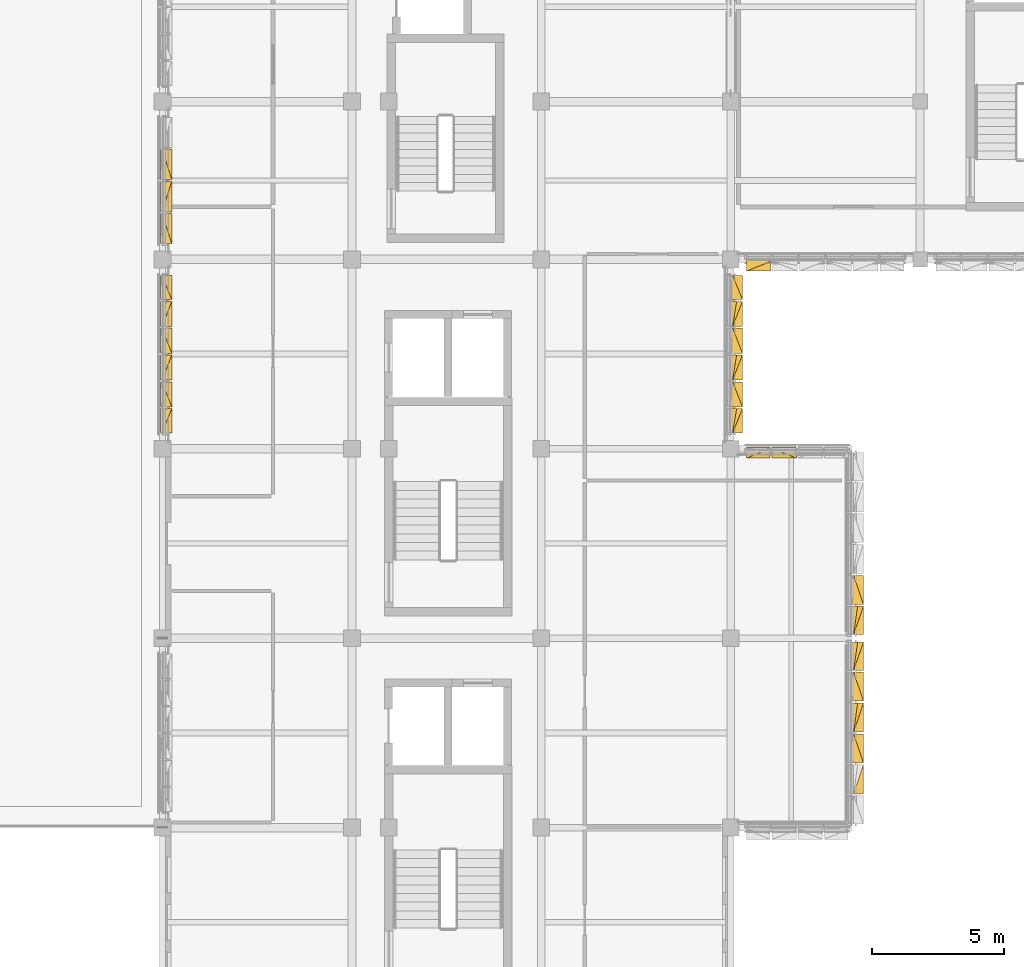
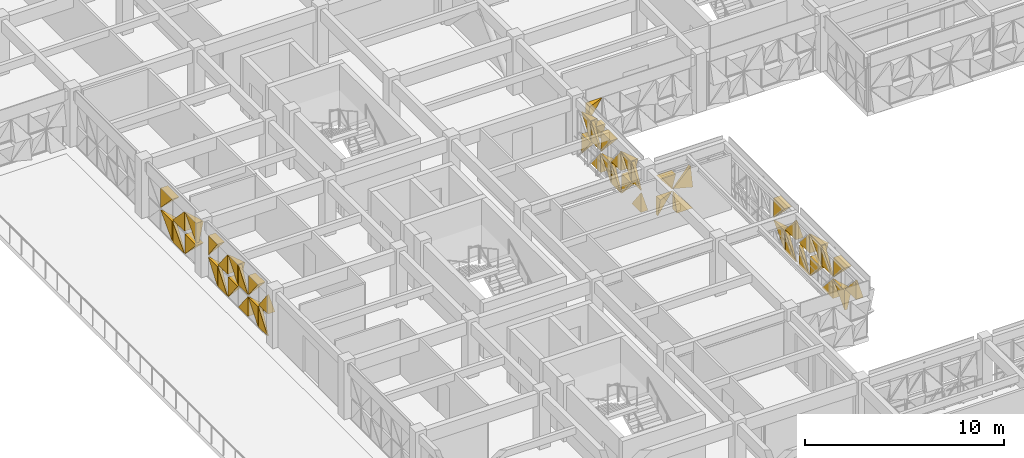
# One storey, part 80 of 85: 49 coverings.
"""IFC4 building model written with IfcOpenShell, lengths in metres."""

from ifc_helpers import new_model, si_unit, direction, frame, origin, place, context, subcontext, project, spatial, polygons, material, layer, layer_set, type_object, element, save


model = new_model("IFC4")

# Units and contexts
model_context = context("Model", 3, precision=1e-05, world=origin(), true_north=direction((0.0, 1.0)))
body_context = subcontext(model_context, "Body", "Model", "MODEL_VIEW")
ifc_project = project(units=[si_unit("LENGTHUNIT", "METRE"), si_unit("AREAUNIT", "SQUARE_METRE"), si_unit("VOLUMEUNIT", "CUBIC_METRE"), si_unit("PLANEANGLEUNIT", "RADIAN"), si_unit("MASSUNIT", "GRAM", prefix="KILO")], contexts=[model_context])

# Site, building, storey
site_placement = place(None, origin())
site = spatial("IfcSite", under=ifc_project, at=site_placement, CompositionType="ELEMENT")
building_placement = place(site_placement, origin())
building = spatial("IfcBuilding", under=site, at=building_placement, Name="Alvorim Cloister Faculty of Sciences", CompositionType="ELEMENT")
storey_placement = place(building_placement, frame((0.0, 0.0, 8.550048828125)))
storey = spatial("IfcBuildingStorey", under=building, at=storey_placement, Name="L02", CompositionType="ELEMENT", Elevation=8.550048828125)

# Coverings
ifc_material = material(Name="Perforated Bronze Alloy Sheet", Category="metal")
ifc_layer = layer(ifc_material, 0.0380859375)
ifc_layer_set = layer_set([ifc_layer], Name="Perforated Bronze Alloy Sheet")
covering_type = type_object("IfcCoveringType", Name="COV-TRI-BRZ", PredefinedType="CLADDING", material=ifc_layer_set)
covering_1_placement = place(storey_placement, frame((7.155029296875, 36.60498046875, 0.139892578125), z_axis=(0.0, 0.0, 1.0), x_axis=(0.0, 1.0, 0.0)))
element("IfcCovering", 1, at=covering_1_placement, inside=storey, type_object=covering_type, Name="Diagonal Solid Metal Triangle TRI-BR", PredefinedType="CLADDING", context=body_context, shape_type="Tessellation", body=[
    polygons([(0.002, 0.0260009765625, 0.0), (0.922607421875, 0.0260009765625, 0.0), (0.922607421875, 0.0260009765625, 1.213087890625), (0.002, -0.03, 0.0), (0.922607421875, -0.4, 0.0), (0.922607421875, -0.18000000000000002, 1.213087890625)], [[[1, 3, 2]], [[4, 5, 6]], [[1, 2, 5, 4]], [[2, 3, 6, 5]], [[3, 1, 4, 6]]], closed=True),
])
covering_2_placement = place(storey_placement, frame((7.155029296875, 36.60498046875, 1.494873046875), z_axis=(0.0, 0.0, 1.0), x_axis=(0.0, 1.0, 0.0)))
element("IfcCovering", 2, at=covering_2_placement, inside=storey, type_object=covering_type, Name="Diagonal Solid Metal Triangle TRI-BL", PredefinedType="CLADDING", context=body_context, shape_type="Tessellation", body=[
    polygons([(0.0, 0.0260009765625, 0.0), (0.920607421875, 0.0260009765625, 0.0), (0.0, 0.0260009765625, 1.213087890625), (0.0, -0.4, 0.0), (0.920607421875, -0.4, 0.0), (0.0, -0.03, 1.213087890625)], [[[1, 3, 2]], [[4, 5, 6]], [[1, 2, 5, 4]], [[2, 3, 6, 5]], [[3, 1, 4, 6]]], closed=True),
])
covering_3_placement = place(storey_placement, frame((7.155029296875, 37.592529296875, 0.139892578125), z_axis=(0.0, 0.0, 1.0), x_axis=(0.0, 1.0, 0.0)))
element("IfcCovering", 3, at=covering_3_placement, inside=storey, type_object=covering_type, Name="Diagonal Solid Metal Triangle TRI-TL", PredefinedType="CLADDING", context=body_context, shape_type="Tessellation", body=[
    polygons([(0.953078125, 0.0260009765625, 1.215087890625), (0.0, 0.0260009765625, 1.215087890625), (0.0, 0.0260009765625, 0.002), (0.953078125, -0.03, 1.215087890625), (0.0, -0.4, 1.215087890625), (0.0, -0.13999999999999999, 0.002)], [[[1, 3, 2]], [[4, 5, 6]], [[1, 2, 5, 4]], [[2, 3, 6, 5]], [[3, 1, 4, 6]]], closed=True),
])
covering_4_placement = place(storey_placement, frame((7.155029296875, 37.592529296875, 1.494873046875), z_axis=(0.0, 0.0, 1.0), x_axis=(0.0, 1.0, 0.0)))
element("IfcCovering", 4, at=covering_4_placement, inside=storey, type_object=covering_type, Name="Diagonal Solid Metal Triangle TRI-TR", PredefinedType="CLADDING", context=body_context, shape_type="Tessellation", body=[
    polygons([(0.955078125, 0.0260009765625, 0.002), (0.955078125, 0.0260009765625, 1.215087890625), (0.002, 0.0260009765625, 1.215087890625), (0.955078125, -0.03, 0.002), (0.955078125, -0.4, 1.215087890625), (0.002, -0.4, 1.215087890625)], [[[1, 3, 2]], [[4, 5, 6]], [[1, 2, 5, 4]], [[2, 3, 6, 5]], [[3, 1, 4, 6]]], closed=True),
])
covering_5_placement = place(storey_placement, frame((7.155029296875, 38.612548828125, 0.139892578125), z_axis=(0.0, 0.0, 1.0), x_axis=(0.0, 1.0, 0.0)))
element("IfcCovering", 5, at=covering_5_placement, inside=storey, type_object=covering_type, Name="Diagonal Solid Metal Triangle TRI-BL", PredefinedType="CLADDING", context=body_context, shape_type="Tessellation", body=[
    polygons([(0.0, 0.0260009765625, 0.0), (0.953078125, 0.0260009765625, 0.0), (0.0, 0.0260009765625, 1.213087890625), (0.0, -0.4, 0.0), (0.953078125, -0.4, 0.0), (0.0, -0.03, 1.213087890625)], [[[1, 3, 2]], [[4, 5, 6]], [[1, 2, 5, 4]], [[2, 3, 6, 5]], [[3, 1, 4, 6]]], closed=True),
])
covering_6_placement = place(storey_placement, frame((7.155029296875, 38.612548828125, 1.494873046875), z_axis=(0.0, 0.0, 1.0), x_axis=(0.0, 1.0, 0.0)))
element("IfcCovering", 6, at=covering_6_placement, inside=storey, type_object=covering_type, Name="Diagonal Solid Metal Triangle TRI-BR", PredefinedType="CLADDING", context=body_context, shape_type="Tessellation", body=[
    polygons([(0.002, 0.0260009765625, 0.0), (0.955078125, 0.0260009765625, 0.0), (0.955078125, 0.0260009765625, 1.213087890625), (0.002, -0.03, 0.0), (0.955078125, -0.4, 0.0), (0.955078125, -0.18000000000000002, 1.213087890625)], [[[1, 3, 2]], [[4, 5, 6]], [[1, 2, 5, 4]], [[2, 3, 6, 5]], [[3, 1, 4, 6]]], closed=True),
])
covering_7_placement = place(storey_placement, frame((7.155029296875, 39.632568359375, 0.139892578125), z_axis=(0.0, 0.0, 1.0), x_axis=(0.0, 1.0, 0.0)))
element("IfcCovering", 7, at=covering_7_placement, inside=storey, type_object=covering_type, Name="Diagonal Solid Metal Triangle TRI-TR", PredefinedType="CLADDING", context=body_context, shape_type="Tessellation", body=[
    polygons([(0.955078125, 0.0260009765625, 0.002), (0.955078125, 0.0260009765625, 1.215087890625), (0.002, 0.0260009765625, 1.215087890625), (0.955078125, -0.03, 0.002), (0.955078125, -0.4, 1.215087890625), (0.002, -0.4, 1.215087890625)], [[[1, 3, 2]], [[4, 5, 6]], [[1, 2, 5, 4]], [[2, 3, 6, 5]], [[3, 1, 4, 6]]], closed=True),
])
covering_8_placement = place(storey_placement, frame((7.155029296875, 39.632568359375, 1.494873046875), z_axis=(0.0, 0.0, 1.0), x_axis=(0.0, 1.0, 0.0)))
element("IfcCovering", 8, at=covering_8_placement, inside=storey, type_object=covering_type, Name="Diagonal Solid Metal Triangle TRI-TL", PredefinedType="CLADDING", context=body_context, shape_type="Tessellation", body=[
    polygons([(0.953078125, 0.0260009765625, 1.215087890625), (0.0, 0.0260009765625, 1.215087890625), (0.0, 0.0260009765625, 0.002), (0.953078125, -0.03, 1.215087890625), (0.0, -0.4, 1.215087890625), (0.0, -0.13999999999999999, 0.002)], [[[1, 3, 2]], [[4, 5, 6]], [[1, 2, 5, 4]], [[2, 3, 6, 5]], [[3, 1, 4, 6]]], closed=True),
])
covering_9_placement = place(storey_placement, frame((7.155029296875, 40.652587890625, 0.139892578125), z_axis=(0.0, 0.0, 1.0), x_axis=(0.0, 1.0, 0.0)))
element("IfcCovering", 9, at=covering_9_placement, inside=storey, type_object=covering_type, Name="Diagonal Solid Metal Triangle TRI-BR", PredefinedType="CLADDING", context=body_context, shape_type="Tessellation", body=[
    polygons([(0.002, 0.0260009765625, 0.0), (0.955078125, 0.0260009765625, 0.0), (0.955078125, 0.0260009765625, 1.213087890625), (0.002, -0.03, 0.0), (0.955078125, -0.4, 0.0), (0.955078125, -0.18000000000000002, 1.213087890625)], [[[1, 3, 2]], [[4, 5, 6]], [[1, 2, 5, 4]], [[2, 3, 6, 5]], [[3, 1, 4, 6]]], closed=True),
])
covering_10_placement = place(storey_placement, frame((7.155029296875, 40.652587890625, 1.494873046875), z_axis=(0.0, 0.0, 1.0), x_axis=(0.0, 1.0, 0.0)))
element("IfcCovering", 10, at=covering_10_placement, inside=storey, type_object=covering_type, Name="Diagonal Solid Metal Triangle TRI-BL", PredefinedType="CLADDING", context=body_context, shape_type="Tessellation", body=[
    polygons([(0.0, 0.0260009765625, 0.0), (0.953078125, 0.0260009765625, 0.0), (0.0, 0.0260009765625, 1.213087890625), (0.0, -0.4, 0.0), (0.953078125, -0.4, 0.0), (0.0, -0.03, 1.213087890625)], [[[1, 3, 2]], [[4, 5, 6]], [[1, 2, 5, 4]], [[2, 3, 6, 5]], [[3, 1, 4, 6]]], closed=True),
])
covering_11_placement = place(storey_placement, frame((7.155029296875, 41.672607421875, 0.139892578125), z_axis=(0.0, 0.0, 1.0), x_axis=(0.0, 1.0, 0.0)))
element("IfcCovering", 11, at=covering_11_placement, inside=storey, type_object=covering_type, Name="Diagonal Solid Metal Triangle TRI-TL", PredefinedType="CLADDING", context=body_context, shape_type="Tessellation", body=[
    polygons([(0.920607421875, 0.0260009765625, 1.215087890625), (0.0, 0.0260009765625, 1.215087890625), (0.0, 0.0260009765625, 0.002), (0.920607421875, -0.03, 1.215087890625), (0.0, -0.4, 1.215087890625), (0.0, -0.13999999999999999, 0.002)], [[[1, 3, 2]], [[4, 5, 6]], [[1, 2, 5, 4]], [[2, 3, 6, 5]], [[3, 1, 4, 6]]], closed=True),
])
covering_12_placement = place(storey_placement, frame((7.155029296875, 41.672607421875, 1.494873046875), z_axis=(0.0, 0.0, 1.0), x_axis=(0.0, 1.0, 0.0)))
element("IfcCovering", 12, at=covering_12_placement, inside=storey, type_object=covering_type, Name="Diagonal Solid Metal Triangle TRI-TR", PredefinedType="CLADDING", context=body_context, shape_type="Tessellation", body=[
    polygons([(0.922607421875, 0.0260009765625, 0.002), (0.922607421875, 0.0260009765625, 1.215087890625), (0.002, 0.0260009765625, 1.215087890625), (0.922607421875, -0.03, 0.002), (0.922607421875, -0.4, 1.215087890625), (0.002, -0.4, 1.215087890625)], [[[1, 3, 2]], [[4, 5, 6]], [[1, 2, 5, 4]], [[2, 3, 6, 5]], [[3, 1, 4, 6]]], closed=True),
])
covering_13_placement = place(storey_placement, frame((7.155029296875, 43.804931640625, 0.139892578125), z_axis=(0.0, 0.0, 1.0), x_axis=(0.0, 1.0, 0.0)))
element("IfcCovering", 13, at=covering_13_placement, inside=storey, type_object=covering_type, Name="Diagonal Solid Metal Triangle TRI-TR", PredefinedType="CLADDING", context=body_context, shape_type="Tessellation", body=[
    polygons([(1.132568359375, 0.0260009765625, 0.002), (1.132568359375, 0.0260009765625, 1.215087890625), (0.002, 0.0260009765625, 1.215087890625), (1.132568359375, -0.03, 0.002), (1.132568359375, -0.4, 1.215087890625), (0.002, -0.4, 1.215087890625)], [[[1, 3, 2]], [[4, 5, 6]], [[1, 2, 5, 4]], [[2, 3, 6, 5]], [[3, 1, 4, 6]]], closed=True),
])
covering_14_placement = place(storey_placement, frame((7.155029296875, 43.804931640625, 1.494873046875), z_axis=(0.0, 0.0, 1.0), x_axis=(0.0, 1.0, 0.0)))
element("IfcCovering", 14, at=covering_14_placement, inside=storey, type_object=covering_type, Name="Diagonal Solid Metal Triangle TRI-TL", PredefinedType="CLADDING", context=body_context, shape_type="Tessellation", body=[
    polygons([(1.130568359375, 0.0260009765625, 1.215087890625), (0.0, 0.0260009765625, 1.215087890625), (0.0, 0.0260009765625, 0.002), (1.130568359375, -0.03, 1.215087890625), (0.0, -0.4, 1.215087890625), (0.0, -0.13999999999999999, 0.002)], [[[1, 3, 2]], [[4, 5, 6]], [[1, 2, 5, 4]], [[2, 3, 6, 5]], [[3, 1, 4, 6]]], closed=True),
])
covering_15_placement = place(storey_placement, frame((7.155029296875, 45.00244140625, 0.139892578125), z_axis=(0.0, 0.0, 1.0), x_axis=(0.0, 1.0, 0.0)))
element("IfcCovering", 15, at=covering_15_placement, inside=storey, type_object=covering_type, Name="Diagonal Solid Metal Triangle TRI-BR", PredefinedType="CLADDING", context=body_context, shape_type="Tessellation", body=[
    polygons([(0.002, 0.0260009765625, 0.0), (1.1650390625, 0.0260009765625, 0.0), (1.1650390625, 0.0260009765625, 1.213087890625), (0.002, -0.03, 0.0), (1.1650390625, -0.4, 0.0), (1.1650390625, -0.18000000000000002, 1.213087890625)], [[[1, 3, 2]], [[4, 5, 6]], [[1, 2, 5, 4]], [[2, 3, 6, 5]], [[3, 1, 4, 6]]], closed=True),
])
covering_16_placement = place(storey_placement, frame((7.155029296875, 45.00244140625, 1.494873046875), z_axis=(0.0, 0.0, 1.0), x_axis=(0.0, 1.0, 0.0)))
element("IfcCovering", 16, at=covering_16_placement, inside=storey, type_object=covering_type, Name="Diagonal Solid Metal Triangle TRI-BL", PredefinedType="CLADDING", context=body_context, shape_type="Tessellation", body=[
    polygons([(0.0, 0.0260009765625, 0.0), (1.1630390625, 0.0260009765625, 0.0), (0.0, 0.0260009765625, 1.213087890625), (0.0, -0.4, 0.0), (1.1630390625, -0.4, 0.0), (0.0, -0.03, 1.213087890625)], [[[1, 3, 2]], [[4, 5, 6]], [[1, 2, 5, 4]], [[2, 3, 6, 5]], [[3, 1, 4, 6]]], closed=True),
])
covering_17_placement = place(storey_placement, frame((7.155029296875, 46.232421875, 0.139892578125), z_axis=(0.0, 0.0, 1.0), x_axis=(0.0, 1.0, 0.0)))
element("IfcCovering", 17, at=covering_17_placement, inside=storey, type_object=covering_type, Name="Diagonal Solid Metal Triangle TRI-TL", PredefinedType="CLADDING", context=body_context, shape_type="Tessellation", body=[
    polygons([(1.1630390625, 0.0260009765625, 1.215087890625), (0.0, 0.0260009765625, 1.215087890625), (0.0, 0.0260009765625, 0.002), (1.1630390625, -0.03, 1.215087890625), (0.0, -0.4, 1.215087890625), (0.0, -0.13999999999999999, 0.002)], [[[1, 3, 2]], [[4, 5, 6]], [[1, 2, 5, 4]], [[2, 3, 6, 5]], [[3, 1, 4, 6]]], closed=True),
])
covering_18_placement = place(storey_placement, frame((7.155029296875, 46.232421875, 1.494873046875), z_axis=(0.0, 0.0, 1.0), x_axis=(0.0, 1.0, 0.0)))
element("IfcCovering", 18, at=covering_18_placement, inside=storey, type_object=covering_type, Name="Diagonal Solid Metal Triangle TRI-TR", PredefinedType="CLADDING", context=body_context, shape_type="Tessellation", body=[
    polygons([(1.1650390625, 0.0260009765625, 0.002), (1.1650390625, 0.0260009765625, 1.215087890625), (0.002, 0.0260009765625, 1.215087890625), (1.1650390625, -0.03, 0.002), (1.1650390625, -0.4, 1.215087890625), (0.002, -0.4, 1.215087890625)], [[[1, 3, 2]], [[4, 5, 6]], [[1, 2, 5, 4]], [[2, 3, 6, 5]], [[3, 1, 4, 6]]], closed=True),
])
covering_19_placement = place(storey_placement, frame((29.405029296875, 43.155029296875, 0.139892578125), z_axis=(0.0, 0.0, 1.0), x_axis=(1.0, 0.0, 0.0)))
element("IfcCovering", 19, at=covering_19_placement, inside=storey, type_object=covering_type, Name="Diagonal Solid Metal Triangle TRI-TR", PredefinedType="CLADDING", context=body_context, shape_type="Tessellation", body=[
    polygons([(0.922607421875, 0.0260009765625, 0.002), (0.922607421875, 0.0260009765625, 1.215087890625), (0.002, 0.0260009765625, 1.215087890625), (0.922607421875, -0.03, 0.002), (0.922607421875, -0.4, 1.215087890625), (0.002, -0.4, 1.215087890625)], [[[1, 3, 2]], [[4, 5, 6]], [[1, 2, 5, 4]], [[2, 3, 6, 5]], [[3, 1, 4, 6]]], closed=True),
])
covering_20_placement = place(storey_placement, frame((29.405029296875, 43.155029296875, 1.494873046875), z_axis=(0.0, 0.0, 1.0), x_axis=(1.0, 0.0, 0.0)))
element("IfcCovering", 20, at=covering_20_placement, inside=storey, type_object=covering_type, Name="Diagonal Solid Metal Triangle TRI-TL", PredefinedType="CLADDING", context=body_context, shape_type="Tessellation", body=[
    polygons([(0.920607421875, 0.0260009765625, 1.215087890625), (0.0, 0.0260009765625, 1.215087890625), (0.0, 0.0260009765625, 0.002), (0.920607421875, -0.03, 1.215087890625), (0.0, -0.4, 1.215087890625), (0.0, -0.13999999999999999, 0.002)], [[[1, 3, 2]], [[4, 5, 6]], [[1, 2, 5, 4]], [[2, 3, 6, 5]], [[3, 1, 4, 6]]], closed=True),
])
covering_21_placement = place(storey_placement, frame((28.844970703125, 36.60498046875, 0.139892578125), z_axis=(0.0, 0.0, 1.0), x_axis=(0.0, 1.0, 0.0)))
element("IfcCovering", 21, at=covering_21_placement, inside=storey, type_object=covering_type, Name="Diagonal Solid Metal Triangle TRI-BL", PredefinedType="CLADDING", context=body_context, shape_type="Tessellation", body=[
    polygons([(0.0, 0.0260009765625, 0.0), (0.920607421875, 0.0260009765625, 0.0), (0.0, 0.0260009765625, 1.213087890625), (0.0, -0.4, 0.0), (0.920607421875, -0.4, 0.0), (0.0, -0.03, 1.213087890625)], [[[1, 3, 2]], [[4, 5, 6]], [[1, 2, 5, 4]], [[2, 3, 6, 5]], [[3, 1, 4, 6]]], closed=True),
])
covering_22_placement = place(storey_placement, frame((28.844970703125, 36.60498046875, 1.494873046875), z_axis=(0.0, 0.0, 1.0), x_axis=(0.0, 1.0, 0.0)))
element("IfcCovering", 22, at=covering_22_placement, inside=storey, type_object=covering_type, Name="Diagonal Solid Metal Triangle TRI-BR", PredefinedType="CLADDING", context=body_context, shape_type="Tessellation", body=[
    polygons([(0.002, 0.0260009765625, 0.0), (0.922607421875, 0.0260009765625, 0.0), (0.922607421875, 0.0260009765625, 1.213087890625), (0.002, -0.03, 0.0), (0.922607421875, -0.4, 0.0), (0.922607421875, -0.18000000000000002, 1.213087890625)], [[[1, 3, 2]], [[4, 5, 6]], [[1, 2, 5, 4]], [[2, 3, 6, 5]], [[3, 1, 4, 6]]], closed=True),
])
covering_23_placement = place(storey_placement, frame((28.844970703125, 37.592529296875, 0.139892578125), z_axis=(0.0, 0.0, 1.0), x_axis=(0.0, 1.0, 0.0)))
element("IfcCovering", 23, at=covering_23_placement, inside=storey, type_object=covering_type, Name="Diagonal Solid Metal Triangle TRI-TR", PredefinedType="CLADDING", context=body_context, shape_type="Tessellation", body=[
    polygons([(0.955078125, 0.0260009765625, 0.002), (0.955078125, 0.0260009765625, 1.215087890625), (0.002, 0.0260009765625, 1.215087890625), (0.955078125, -0.03, 0.002), (0.955078125, -0.4, 1.215087890625), (0.002, -0.4, 1.215087890625)], [[[1, 3, 2]], [[4, 5, 6]], [[1, 2, 5, 4]], [[2, 3, 6, 5]], [[3, 1, 4, 6]]], closed=True),
])
covering_24_placement = place(storey_placement, frame((28.844970703125, 37.592529296875, 1.494873046875), z_axis=(0.0, 0.0, 1.0), x_axis=(0.0, 1.0, 0.0)))
element("IfcCovering", 24, at=covering_24_placement, inside=storey, type_object=covering_type, Name="Diagonal Solid Metal Triangle TRI-TL", PredefinedType="CLADDING", context=body_context, shape_type="Tessellation", body=[
    polygons([(0.953078125, 0.0260009765625, 1.215087890625), (0.0, 0.0260009765625, 1.215087890625), (0.0, 0.0260009765625, 0.002), (0.953078125, -0.03, 1.215087890625), (0.0, -0.4, 1.215087890625), (0.0, -0.13999999999999999, 0.002)], [[[1, 3, 2]], [[4, 5, 6]], [[1, 2, 5, 4]], [[2, 3, 6, 5]], [[3, 1, 4, 6]]], closed=True),
])
covering_25_placement = place(storey_placement, frame((28.844970703125, 38.612548828125, 0.139892578125), z_axis=(0.0, 0.0, 1.0), x_axis=(0.0, 1.0, 0.0)))
element("IfcCovering", 25, at=covering_25_placement, inside=storey, type_object=covering_type, Name="Diagonal Solid Metal Triangle TRI-BR", PredefinedType="CLADDING", context=body_context, shape_type="Tessellation", body=[
    polygons([(0.002, 0.0260009765625, 0.0), (0.955078125, 0.0260009765625, 0.0), (0.955078125, 0.0260009765625, 1.213087890625), (0.002, -0.03, 0.0), (0.955078125, -0.4, 0.0), (0.955078125, -0.18000000000000002, 1.213087890625)], [[[1, 3, 2]], [[4, 5, 6]], [[1, 2, 5, 4]], [[2, 3, 6, 5]], [[3, 1, 4, 6]]], closed=True),
])
covering_26_placement = place(storey_placement, frame((28.844970703125, 38.612548828125, 1.494873046875), z_axis=(0.0, 0.0, 1.0), x_axis=(0.0, 1.0, 0.0)))
element("IfcCovering", 26, at=covering_26_placement, inside=storey, type_object=covering_type, Name="Diagonal Solid Metal Triangle TRI-BL", PredefinedType="CLADDING", context=body_context, shape_type="Tessellation", body=[
    polygons([(0.0, 0.0260009765625, 0.0), (0.953078125, 0.0260009765625, 0.0), (0.0, 0.0260009765625, 1.213087890625), (0.0, -0.4, 0.0), (0.953078125, -0.4, 0.0), (0.0, -0.03, 1.213087890625)], [[[1, 3, 2]], [[4, 5, 6]], [[1, 2, 5, 4]], [[2, 3, 6, 5]], [[3, 1, 4, 6]]], closed=True),
])
covering_27_placement = place(storey_placement, frame((28.844970703125, 39.632568359375, 0.139892578125), z_axis=(0.0, 0.0, 1.0), x_axis=(0.0, 1.0, 0.0)))
element("IfcCovering", 27, at=covering_27_placement, inside=storey, type_object=covering_type, Name="Diagonal Solid Metal Triangle TRI-TL", PredefinedType="CLADDING", context=body_context, shape_type="Tessellation", body=[
    polygons([(0.953078125, 0.0260009765625, 1.215087890625), (0.0, 0.0260009765625, 1.215087890625), (0.0, 0.0260009765625, 0.002), (0.953078125, -0.03, 1.215087890625), (0.0, -0.4, 1.215087890625), (0.0, -0.13999999999999999, 0.002)], [[[1, 3, 2]], [[4, 5, 6]], [[1, 2, 5, 4]], [[2, 3, 6, 5]], [[3, 1, 4, 6]]], closed=True),
])
covering_28_placement = place(storey_placement, frame((28.844970703125, 39.632568359375, 1.494873046875), z_axis=(0.0, 0.0, 1.0), x_axis=(0.0, 1.0, 0.0)))
element("IfcCovering", 28, at=covering_28_placement, inside=storey, type_object=covering_type, Name="Diagonal Solid Metal Triangle TRI-TR", PredefinedType="CLADDING", context=body_context, shape_type="Tessellation", body=[
    polygons([(0.955078125, 0.0260009765625, 0.002), (0.955078125, 0.0260009765625, 1.215087890625), (0.002, 0.0260009765625, 1.215087890625), (0.955078125, -0.03, 0.002), (0.955078125, -0.4, 1.215087890625), (0.002, -0.4, 1.215087890625)], [[[1, 3, 2]], [[4, 5, 6]], [[1, 2, 5, 4]], [[2, 3, 6, 5]], [[3, 1, 4, 6]]], closed=True),
])
covering_29_placement = place(storey_placement, frame((28.844970703125, 40.652587890625, 0.139892578125), z_axis=(0.0, 0.0, 1.0), x_axis=(0.0, 1.0, 0.0)))
element("IfcCovering", 29, at=covering_29_placement, inside=storey, type_object=covering_type, Name="Diagonal Solid Metal Triangle TRI-BL", PredefinedType="CLADDING", context=body_context, shape_type="Tessellation", body=[
    polygons([(0.0, 0.0260009765625, 0.0), (0.953078125, 0.0260009765625, 0.0), (0.0, 0.0260009765625, 1.213087890625), (0.0, -0.4, 0.0), (0.953078125, -0.4, 0.0), (0.0, -0.03, 1.213087890625)], [[[1, 3, 2]], [[4, 5, 6]], [[1, 2, 5, 4]], [[2, 3, 6, 5]], [[3, 1, 4, 6]]], closed=True),
])
covering_30_placement = place(storey_placement, frame((28.844970703125, 40.652587890625, 1.494873046875), z_axis=(0.0, 0.0, 1.0), x_axis=(0.0, 1.0, 0.0)))
element("IfcCovering", 30, at=covering_30_placement, inside=storey, type_object=covering_type, Name="Diagonal Solid Metal Triangle TRI-BR", PredefinedType="CLADDING", context=body_context, shape_type="Tessellation", body=[
    polygons([(0.002, 0.0260009765625, 0.0), (0.955078125, 0.0260009765625, 0.0), (0.955078125, 0.0260009765625, 1.213087890625), (0.002, -0.03, 0.0), (0.955078125, -0.4, 0.0), (0.955078125, -0.18000000000000002, 1.213087890625)], [[[1, 3, 2]], [[4, 5, 6]], [[1, 2, 5, 4]], [[2, 3, 6, 5]], [[3, 1, 4, 6]]], closed=True),
])
covering_31_placement = place(storey_placement, frame((28.844970703125, 41.672607421875, 0.139892578125), z_axis=(0.0, 0.0, 1.0), x_axis=(0.0, 1.0, 0.0)))
element("IfcCovering", 31, at=covering_31_placement, inside=storey, type_object=covering_type, Name="Diagonal Solid Metal Triangle TRI-TR", PredefinedType="CLADDING", context=body_context, shape_type="Tessellation", body=[
    polygons([(0.922607421875, 0.0260009765625, 0.002), (0.922607421875, 0.0260009765625, 1.215087890625), (0.002, 0.0260009765625, 1.215087890625), (0.922607421875, -0.03, 0.002), (0.922607421875, -0.4, 1.215087890625), (0.002, -0.4, 1.215087890625)], [[[1, 3, 2]], [[4, 5, 6]], [[1, 2, 5, 4]], [[2, 3, 6, 5]], [[3, 1, 4, 6]]], closed=True),
])
covering_32_placement = place(storey_placement, frame((28.844970703125, 41.672607421875, 1.494873046875), z_axis=(0.0, 0.0, 1.0), x_axis=(0.0, 1.0, 0.0)))
element("IfcCovering", 32, at=covering_32_placement, inside=storey, type_object=covering_type, Name="Diagonal Solid Metal Triangle TRI-TL", PredefinedType="CLADDING", context=body_context, shape_type="Tessellation", body=[
    polygons([(0.920607421875, 0.0260009765625, 1.215087890625), (0.0, 0.0260009765625, 1.215087890625), (0.0, 0.0260009765625, 0.002), (0.920607421875, -0.03, 1.215087890625), (0.0, -0.4, 1.215087890625), (0.0, -0.13999999999999999, 0.002)], [[[1, 3, 2]], [[4, 5, 6]], [[1, 2, 5, 4]], [[2, 3, 6, 5]], [[3, 1, 4, 6]]], closed=True),
])
covering_33_placement = place(storey_placement, frame((29.405029296875, 36.044921875, 0.139892578125), z_axis=(0.0, 0.0, 1.0), x_axis=(1.0, 0.0, 0.0)))
element("IfcCovering", 33, at=covering_33_placement, inside=storey, type_object=covering_type, Name="Diagonal Solid Metal Triangle TRI-TL", PredefinedType="CLADDING", context=body_context, shape_type="Tessellation", body=[
    polygons([(0.8954609375, 0.0260009765625, 1.14306640625), (0.0, 0.0260009765625, 1.14306640625), (0.0, 0.0260009765625, 0.002), (0.8954609375, -0.03, 1.14306640625), (0.0, -0.4, 1.14306640625), (0.0, -0.13999999999999999, 0.002)], [[[1, 3, 2]], [[4, 5, 6]], [[1, 2, 5, 4]], [[2, 3, 6, 5]], [[3, 1, 4, 6]]], closed=True),
])
covering_34_placement = place(storey_placement, frame((29.405029296875, 36.044921875, 1.4228515625), z_axis=(0.0, 0.0, 1.0), x_axis=(1.0, 0.0, 0.0)))
element("IfcCovering", 34, at=covering_34_placement, inside=storey, type_object=covering_type, Name="Diagonal Solid Metal Triangle TRI-TR", PredefinedType="CLADDING", context=body_context, shape_type="Tessellation", body=[
    polygons([(0.8974609375, 0.0260009765625, 0.002), (0.8974609375, 0.0260009765625, 1.14306640625), (0.002, 0.0260009765625, 1.14306640625), (0.8974609375, -0.03, 0.002), (0.8974609375, -0.4, 1.14306640625), (0.002, -0.4, 1.14306640625)], [[[1, 3, 2]], [[4, 5, 6]], [[1, 2, 5, 4]], [[2, 3, 6, 5]], [[3, 1, 4, 6]]], closed=True),
])
covering_35_placement = place(storey_placement, frame((30.367431640625, 36.044921875, 0.139892578125), z_axis=(0.0, 0.0, 1.0), x_axis=(1.0, 0.0, 0.0)))
element("IfcCovering", 35, at=covering_35_placement, inside=storey, type_object=covering_type, Name="Diagonal Solid Metal Triangle TRI-BL", PredefinedType="CLADDING", context=body_context, shape_type="Tessellation", body=[
    polygons([(0.0, 0.0260009765625, 0.0), (0.927931640625, 0.0260009765625, 0.0), (0.0, 0.0260009765625, 1.14106640625), (0.0, -0.4, 0.0), (0.927931640625, -0.4, 0.0), (0.0, -0.03, 1.14106640625)], [[[1, 3, 2]], [[4, 5, 6]], [[1, 2, 5, 4]], [[2, 3, 6, 5]], [[3, 1, 4, 6]]], closed=True),
])
covering_36_placement = place(storey_placement, frame((30.367431640625, 36.044921875, 1.4228515625), z_axis=(0.0, 0.0, 1.0), x_axis=(1.0, 0.0, 0.0)))
element("IfcCovering", 36, at=covering_36_placement, inside=storey, type_object=covering_type, Name="Diagonal Solid Metal Triangle TRI-BR", PredefinedType="CLADDING", context=body_context, shape_type="Tessellation", body=[
    polygons([(0.002, 0.0260009765625, 0.0), (0.929931640625, 0.0260009765625, 0.0), (0.929931640625, 0.0260009765625, 1.14106640625), (0.002, -0.03, 0.0), (0.929931640625, -0.4, 0.0), (0.929931640625, -0.18000000000000002, 1.14106640625)], [[[1, 3, 2]], [[4, 5, 6]], [[1, 2, 5, 4]], [[2, 3, 6, 5]], [[3, 1, 4, 6]]], closed=True),
])
covering_37_placement = place(storey_placement, frame((33.445068359375, 28.945068359375, 0.139892578125), z_axis=(0.0, 0.0, 1.0), x_axis=(0.0, 1.0, 0.0)))
element("IfcCovering", 37, at=covering_37_placement, inside=storey, type_object=covering_type, Name="Diagonal Solid Metal Triangle TRI-BR", PredefinedType="CLADDING", context=body_context, shape_type="Tessellation", body=[
    polygons([(0.002, 0.0260009765625, 0.0), (1.075927734375, 0.0260009765625, 0.0), (1.075927734375, 0.0260009765625, 1.216505859375), (0.002, -0.03, 0.0), (1.075927734375, -0.4, 0.0), (1.075927734375, -0.18000000000000002, 1.216505859375)], [[[1, 3, 2]], [[4, 5, 6]], [[1, 2, 5, 4]], [[2, 3, 6, 5]], [[3, 1, 4, 6]]], closed=True),
])
covering_38_placement = place(storey_placement, frame((33.445068359375, 28.945068359375, 1.49853515625), z_axis=(0.0, 0.0, 1.0), x_axis=(0.0, 1.0, 0.0)))
element("IfcCovering", 38, at=covering_38_placement, inside=storey, type_object=covering_type, Name="Diagonal Solid Metal Triangle TRI-BL", PredefinedType="CLADDING", context=body_context, shape_type="Tessellation", body=[
    polygons([(0.0, 0.0260009765625, 0.0), (1.073927734375, 0.0260009765625, 0.0), (0.0, 0.0260009765625, 1.216505859375), (0.0, -0.4, 0.0), (1.073927734375, -0.4, 0.0), (0.0, -0.03, 1.216505859375)], [[[1, 3, 2]], [[4, 5, 6]], [[1, 2, 5, 4]], [[2, 3, 6, 5]], [[3, 1, 4, 6]]], closed=True),
])
covering_39_placement = place(storey_placement, frame((33.445068359375, 30.0859375, 0.139892578125), z_axis=(0.0, 0.0, 1.0), x_axis=(0.0, 1.0, 0.0)))
element("IfcCovering", 39, at=covering_39_placement, inside=storey, type_object=covering_type, Name="Diagonal Solid Metal Triangle TRI-TL", PredefinedType="CLADDING", context=body_context, shape_type="Tessellation", body=[
    polygons([(1.1063984375, 0.0260009765625, 1.218505859375), (0.0, 0.0260009765625, 1.218505859375), (0.0, 0.0260009765625, 0.002), (1.1063984375, -0.03, 1.218505859375), (0.0, -0.4, 1.218505859375), (0.0, -0.13999999999999999, 0.002)], [[[1, 3, 2]], [[4, 5, 6]], [[1, 2, 5, 4]], [[2, 3, 6, 5]], [[3, 1, 4, 6]]], closed=True),
])
covering_40_placement = place(storey_placement, frame((33.445068359375, 30.0859375, 1.49853515625), z_axis=(0.0, 0.0, 1.0), x_axis=(0.0, 1.0, 0.0)))
element("IfcCovering", 40, at=covering_40_placement, inside=storey, type_object=covering_type, Name="Diagonal Solid Metal Triangle TRI-TR", PredefinedType="CLADDING", context=body_context, shape_type="Tessellation", body=[
    polygons([(1.1083984375, 0.0260009765625, 0.002), (1.1083984375, 0.0260009765625, 1.218505859375), (0.002, 0.0260009765625, 1.218505859375), (1.1083984375, -0.03, 0.002), (1.1083984375, -0.4, 1.218505859375), (0.002, -0.4, 1.218505859375)], [[[1, 3, 2]], [[4, 5, 6]], [[1, 2, 5, 4]], [[2, 3, 6, 5]], [[3, 1, 4, 6]]], closed=True),
])
covering_41_placement = place(storey_placement, frame((33.445068359375, 22.8857421875, 1.49853515625), z_axis=(0.0, 0.0, 1.0), x_axis=(0.0, 1.0, 0.0)))
element("IfcCovering", 41, at=covering_41_placement, inside=storey, type_object=covering_type, Name="Diagonal Solid Metal Triangle TRI-BL", PredefinedType="CLADDING", context=body_context, shape_type="Tessellation", body=[
    polygons([(0.0, 0.0260009765625, 0.0), (1.1063984375, 0.0260009765625, 0.0), (0.0, 0.0260009765625, 1.216505859375), (0.0, -0.4, 0.0), (1.1063984375, -0.4, 0.0), (0.0, -0.03, 1.216505859375)], [[[1, 3, 2]], [[4, 5, 6]], [[1, 2, 5, 4]], [[2, 3, 6, 5]], [[3, 1, 4, 6]]], closed=True),
])
covering_42_placement = place(storey_placement, frame((33.445068359375, 24.05908203125, 0.139892578125), z_axis=(0.0, 0.0, 1.0), x_axis=(0.0, 1.0, 0.0)))
element("IfcCovering", 42, at=covering_42_placement, inside=storey, type_object=covering_type, Name="Diagonal Solid Metal Triangle TRI-TL", PredefinedType="CLADDING", context=body_context, shape_type="Tessellation", body=[
    polygons([(1.1063984375, 0.0260009765625, 1.218505859375), (0.0, 0.0260009765625, 1.218505859375), (0.0, 0.0260009765625, 0.002), (1.1063984375, -0.03, 1.218505859375), (0.0, -0.4, 1.218505859375), (0.0, -0.13999999999999999, 0.002)], [[[1, 3, 2]], [[4, 5, 6]], [[1, 2, 5, 4]], [[2, 3, 6, 5]], [[3, 1, 4, 6]]], closed=True),
])
covering_43_placement = place(storey_placement, frame((33.445068359375, 24.05908203125, 1.49853515625), z_axis=(0.0, 0.0, 1.0), x_axis=(0.0, 1.0, 0.0)))
element("IfcCovering", 43, at=covering_43_placement, inside=storey, type_object=covering_type, Name="Diagonal Solid Metal Triangle TRI-TR", PredefinedType="CLADDING", context=body_context, shape_type="Tessellation", body=[
    polygons([(1.1083984375, 0.0260009765625, 0.002), (1.1083984375, 0.0260009765625, 1.218505859375), (0.002, 0.0260009765625, 1.218505859375), (1.1083984375, -0.03, 0.002), (1.1083984375, -0.4, 1.218505859375), (0.002, -0.4, 1.218505859375)], [[[1, 3, 2]], [[4, 5, 6]], [[1, 2, 5, 4]], [[2, 3, 6, 5]], [[3, 1, 4, 6]]], closed=True),
])
covering_44_placement = place(storey_placement, frame((33.445068359375, 25.232421875, 0.139892578125), z_axis=(0.0, 0.0, 1.0), x_axis=(0.0, 1.0, 0.0)))
element("IfcCovering", 44, at=covering_44_placement, inside=storey, type_object=covering_type, Name="Diagonal Solid Metal Triangle TRI-BL", PredefinedType="CLADDING", context=body_context, shape_type="Tessellation", body=[
    polygons([(0.0, 0.0260009765625, 0.0), (1.1063984375, 0.0260009765625, 0.0), (0.0, 0.0260009765625, 1.216505859375), (0.0, -0.4, 0.0), (1.1063984375, -0.4, 0.0), (0.0, -0.03, 1.216505859375)], [[[1, 3, 2]], [[4, 5, 6]], [[1, 2, 5, 4]], [[2, 3, 6, 5]], [[3, 1, 4, 6]]], closed=True),
])
covering_45_placement = place(storey_placement, frame((33.445068359375, 25.232421875, 1.49853515625), z_axis=(0.0, 0.0, 1.0), x_axis=(0.0, 1.0, 0.0)))
element("IfcCovering", 45, at=covering_45_placement, inside=storey, type_object=covering_type, Name="Diagonal Solid Metal Triangle TRI-BR", PredefinedType="CLADDING", context=body_context, shape_type="Tessellation", body=[
    polygons([(0.002, 0.0260009765625, 0.0), (1.1083984375, 0.0260009765625, 0.0), (1.1083984375, 0.0260009765625, 1.216505859375), (0.002, -0.03, 0.0), (1.1083984375, -0.4, 0.0), (1.1083984375, -0.18000000000000002, 1.216505859375)], [[[1, 3, 2]], [[4, 5, 6]], [[1, 2, 5, 4]], [[2, 3, 6, 5]], [[3, 1, 4, 6]]], closed=True),
])
covering_46_placement = place(storey_placement, frame((33.445068359375, 26.40576171875, 0.139892578125), z_axis=(0.0, 0.0, 1.0), x_axis=(0.0, 1.0, 0.0)))
element("IfcCovering", 46, at=covering_46_placement, inside=storey, type_object=covering_type, Name="Diagonal Solid Metal Triangle TRI-TR", PredefinedType="CLADDING", context=body_context, shape_type="Tessellation", body=[
    polygons([(1.1083984375, 0.0260009765625, 0.002), (1.1083984375, 0.0260009765625, 1.218505859375), (0.002, 0.0260009765625, 1.218505859375), (1.1083984375, -0.03, 0.002), (1.1083984375, -0.4, 1.218505859375), (0.002, -0.4, 1.218505859375)], [[[1, 3, 2]], [[4, 5, 6]], [[1, 2, 5, 4]], [[2, 3, 6, 5]], [[3, 1, 4, 6]]], closed=True),
])
covering_47_placement = place(storey_placement, frame((33.445068359375, 26.40576171875, 1.49853515625), z_axis=(0.0, 0.0, 1.0), x_axis=(0.0, 1.0, 0.0)))
element("IfcCovering", 47, at=covering_47_placement, inside=storey, type_object=covering_type, Name="Diagonal Solid Metal Triangle TRI-TL", PredefinedType="CLADDING", context=body_context, shape_type="Tessellation", body=[
    polygons([(1.1063984375, 0.0260009765625, 1.218505859375), (0.0, 0.0260009765625, 1.218505859375), (0.0, 0.0260009765625, 0.002), (1.1063984375, -0.03, 1.218505859375), (0.0, -0.4, 1.218505859375), (0.0, -0.13999999999999999, 0.002)], [[[1, 3, 2]], [[4, 5, 6]], [[1, 2, 5, 4]], [[2, 3, 6, 5]], [[3, 1, 4, 6]]], closed=True),
])
covering_48_placement = place(storey_placement, frame((33.445068359375, 27.5791015625, 0.139892578125), z_axis=(0.0, 0.0, 1.0), x_axis=(0.0, 1.0, 0.0)))
element("IfcCovering", 48, at=covering_48_placement, inside=storey, type_object=covering_type, Name="Diagonal Solid Metal Triangle TRI-BR", PredefinedType="CLADDING", context=body_context, shape_type="Tessellation", body=[
    polygons([(0.002, 0.0260009765625, 0.0), (1.075927734375, 0.0260009765625, 0.0), (1.075927734375, 0.0260009765625, 1.216505859375), (0.002, -0.03, 0.0), (1.075927734375, -0.4, 0.0), (1.075927734375, -0.18000000000000002, 1.216505859375)], [[[1, 3, 2]], [[4, 5, 6]], [[1, 2, 5, 4]], [[2, 3, 6, 5]], [[3, 1, 4, 6]]], closed=True),
])
covering_49_placement = place(storey_placement, frame((33.445068359375, 27.5791015625, 1.49853515625), z_axis=(0.0, 0.0, 1.0), x_axis=(0.0, 1.0, 0.0)))
element("IfcCovering", 49, at=covering_49_placement, inside=storey, type_object=covering_type, Name="Diagonal Solid Metal Triangle TRI-BL", PredefinedType="CLADDING", context=body_context, shape_type="Tessellation", body=[
    polygons([(0.0, 0.0260009765625, 0.0), (1.073927734375, 0.0260009765625, 0.0), (0.0, 0.0260009765625, 1.216505859375), (0.0, -0.4, 0.0), (1.073927734375, -0.4, 0.0), (0.0, -0.03, 1.216505859375)], [[[1, 3, 2]], [[4, 5, 6]], [[1, 2, 5, 4]], [[2, 3, 6, 5]], [[3, 1, 4, 6]]], closed=True),
])

save(model, "model.ifc")
